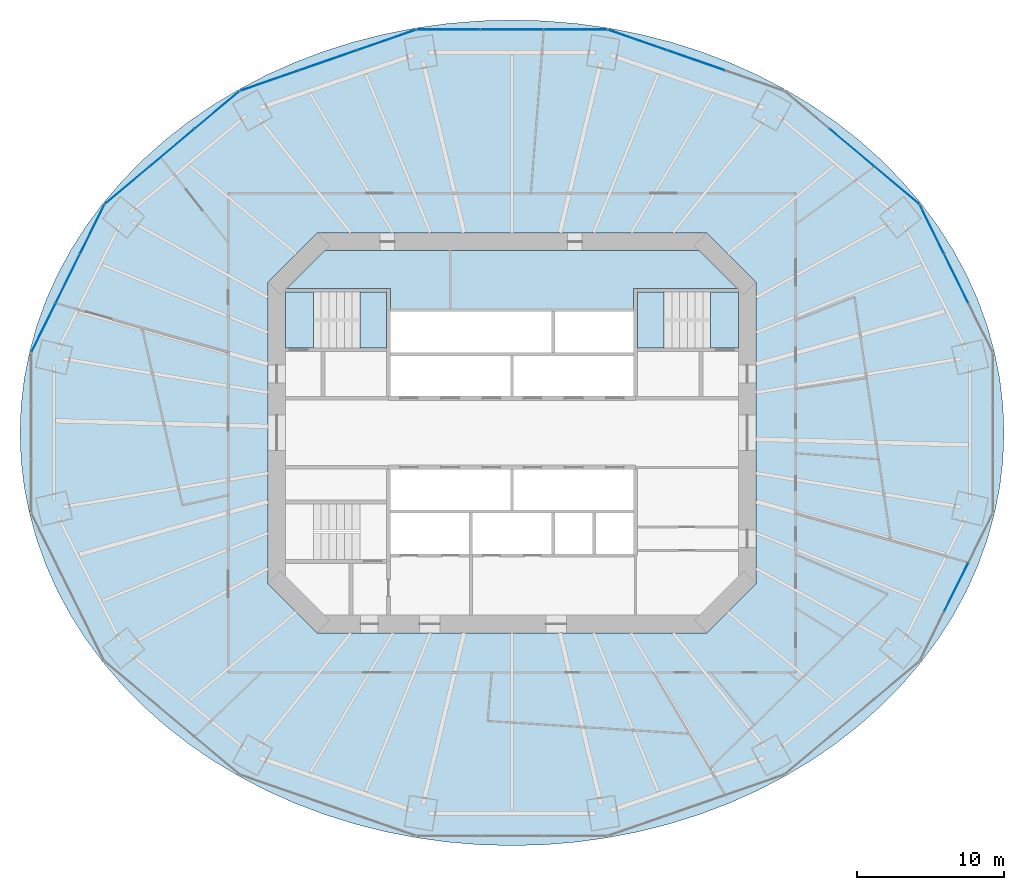
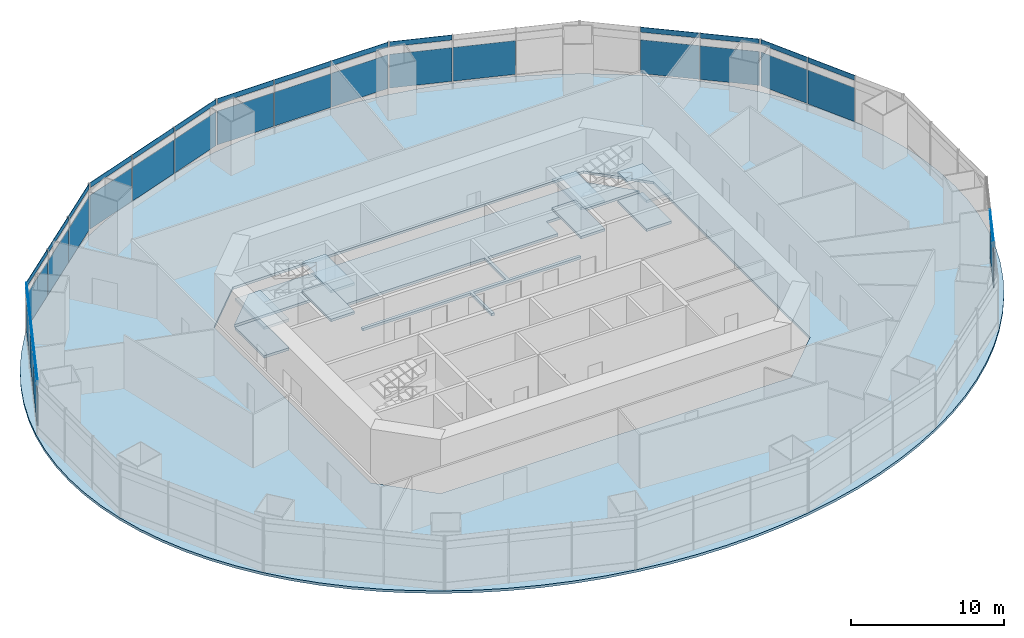
# One storey, part 12 of 17: 37 plates, 10 slabs, 18 elements without a shape of their own.
"""IFC4 building model written with IfcOpenShell, lengths in metres."""

import ifcopenshell
import ifcopenshell.guid

model = None  # the IFC model being written
_history = None  # IfcOwnerHistory: only IFC2X3 demands one
_inside = {}  # id of a spatial element -> (the spatial element, [elements in it])
_under = {}  # id of a project, library or spatial element -> (it, [spatial elements below it])
_declared = {}  # id of a project -> (the project, [libraries it declares])
_typed = {}  # id of a type object -> (the type object, [elements of that type])
_made_of = {}  # id of a material, layer set ... -> (it, [elements and type objects made of it])


def new_model(schema):
    """Start an empty IFC model of exactly this schema.

    Asked for "IFC4X3", IfcOpenShell would pick the latest addendum, in which some entities
    have other attributes; the version numbers below select the first issue.
    IFC2X3 requires an IfcOwnerHistory on every rooted entity: one is made here for all.
    """
    global model, _history
    if schema == "IFC4X3":
        model = ifcopenshell.file(schema_version=(4, 3, 0, 0))
    else:
        model = ifcopenshell.file(schema=schema)
    _inside.clear()
    _under.clear()
    _declared.clear()
    _typed.clear()
    _made_of.clear()
    _history = None
    if model.schema == "IFC2X3":
        org = make("IfcOrganization", Name="unknown")
        user = make(
            "IfcPersonAndOrganization",
            ThePerson=make("IfcPerson", FamilyName="unknown"),
            TheOrganization=org,
        )
        app = make(
            "IfcApplication",
            ApplicationDeveloper=org,
            Version="unknown",
            ApplicationFullName="unknown",
            ApplicationIdentifier="unknown",
        )
        _history = make(
            "IfcOwnerHistory",
            OwningUser=user,
            OwningApplication=app,
            ChangeAction="ADDED",
            CreationDate=0,
        )
    return model


def make(cls, **values):
    """One entity of the class cls with the attributes given. An attribute that is None is left unset."""
    return model.create_entity(
        cls, **{name: value for name, value in values.items() if value is not None}
    )


def rooted(cls, **values):
    """An entity with a GlobalId (a new one), such as an element, a storey or a relation."""
    return make(cls, GlobalId=ifcopenshell.guid.new(), OwnerHistory=_history, **values)


def si_unit(unit_type, name, prefix=None):
    """IfcSIUnit, for example si_unit("LENGTHUNIT", "METRE", prefix="MILLI")."""
    return make("IfcSIUnit", UnitType=unit_type, Prefix=prefix, Name=name)


def assignment(units):
    """IfcUnitAssignment: the units of a project."""
    return None if units is None else make("IfcUnitAssignment", Units=units)


def point(xyz):
    """IfcCartesianPoint."""
    return None if xyz is None else make("IfcCartesianPoint", Coordinates=xyz)


def direction(xyz):
    """IfcDirection."""
    return None if xyz is None else make("IfcDirection", DirectionRatios=xyz)


def frame(location, z_axis=None, x_axis=None):
    """IfcAxis2Placement3D, a coordinate frame: its origin and axes. An axis left out is left unset."""
    return make(
        "IfcAxis2Placement3D",
        Location=point(location),
        Axis=direction(z_axis),
        RefDirection=direction(x_axis),
    )


def frame_2d(location, x_axis=None):
    """IfcAxis2Placement2D, a coordinate frame in the plane: its origin and x axis."""
    return make(
        "IfcAxis2Placement2D", Location=point(location), RefDirection=direction(x_axis)
    )


def origin():
    """The frame at (0, 0, 0) with its axes left unset."""
    return frame((0.0, 0.0, 0.0))


def origin_2d():
    """The frame at (0, 0) in the plane with its x axis left unset."""
    return frame_2d((0.0, 0.0))


def place(relative_to, where):
    """IfcLocalPlacement: puts the frame where relative to a parent placement (None: the world)."""
    return make(
        "IfcLocalPlacement", PlacementRelTo=relative_to, RelativePlacement=where
    )


def context(
    kind, dimensions, precision=None, world=None, true_north=None, identifier=None
):
    """IfcGeometricRepresentationContext, for example the 3D "Model" context."""
    return make(
        "IfcGeometricRepresentationContext",
        ContextIdentifier=identifier,
        ContextType=kind,
        CoordinateSpaceDimension=dimensions,
        Precision=precision,
        WorldCoordinateSystem=world,
        TrueNorth=true_north,
    )


def subcontext(parent, identifier, kind, view, scale=None):
    """IfcGeometricRepresentationSubContext, for example "Body" below "Model"."""
    return make(
        "IfcGeometricRepresentationSubContext",
        ContextIdentifier=identifier,
        ContextType=kind,
        ParentContext=parent,
        TargetScale=scale,
        TargetView=view,
    )


def project(units=None, contexts=None):
    """IfcProject with its units and contexts."""
    return rooted(
        "IfcProject",
        Name="project",
        RepresentationContexts=contexts,
        UnitsInContext=assignment(units),
    )


def spatial(cls, under=None, at=None, **own):
    """A site, building, storey or space (cls), placed at a placement, below another one or the project."""
    s = rooted(cls, ObjectPlacement=at, **own)
    if under is not None:
        _under.setdefault(under.id(), (under, []))[1].append(s)
    return s


def polyline(points):
    """IfcPolyline through the points."""
    return make("IfcPolyline", Points=[point(p) for p in points])


def profile(cls, at=None, kind="AREA", **sizes):
    """A parametric profile (cls). Its sizes go by their IFC names, for example OverallWidth=200.0."""
    return make(cls, ProfileType=kind, Position=at, **sizes)


def rectangle(**sizes):
    """IfcRectangleProfileDef."""
    return profile("IfcRectangleProfileDef", **sizes)


def outline(outer, holes=None, kind="AREA"):
    """IfcArbitraryClosedProfileDef: a profile drawn as a closed curve; with holes, ...WithVoids."""
    if holes is None:
        return make("IfcArbitraryClosedProfileDef", ProfileType=kind, OuterCurve=outer)
    return make(
        "IfcArbitraryProfileDefWithVoids",
        ProfileType=kind,
        OuterCurve=outer,
        InnerCurves=holes,
    )


def extrude(swept, where, along, depth):
    """IfcExtrudedAreaSolid: the profile swept, set in the frame where, extruded along a direction by depth."""
    return make(
        "IfcExtrudedAreaSolid",
        SweptArea=swept,
        Position=where,
        ExtrudedDirection=direction(along),
        Depth=depth,
    )


def shape(context_of_items, identifier, shape_type, items):
    """IfcShapeRepresentation: the items that make up one representation, for example the "Body"."""
    return make(
        "IfcShapeRepresentation",
        ContextOfItems=context_of_items,
        RepresentationIdentifier=identifier,
        RepresentationType=shape_type,
        Items=items,
    )


def material(Name=None, Category=None):
    """IfcMaterial."""
    return make("IfcMaterial", Name=Name, Category=Category)


def layer(
    of_material, thickness, ventilated=None, Name=None, Category=None, Priority=None
):
    """IfcMaterialLayer: one layer of a wall or slab, of a material (None: an air gap)."""
    return make(
        "IfcMaterialLayer",
        Material=of_material,
        LayerThickness=thickness,
        IsVentilated=ventilated,
        Name=Name,
        Category=Category,
        Priority=Priority,
    )


def layer_set(layers, Name=None):
    """IfcMaterialLayerSet."""
    return make("IfcMaterialLayerSet", MaterialLayers=layers, LayerSetName=Name)


def made_of(thing, what):
    """Note that an element or type object is made of a material, layer set ...; save() writes the relation."""
    if what is not None:
        _made_of.setdefault(what.id(), (what, []))[1].append(thing)
    return thing


def type_object(cls, material=None, **own):
    """A type object (cls), such as IfcWallType, which elements share."""
    return made_of(rooted(cls, **own), material)


def element(
    cls,
    number,
    at=None,
    inside=None,
    cuts=None,
    type_object=None,
    material=None,
    context=None,
    identifier="Body",
    shape_type=None,
    held_by="IfcProductDefinitionShape",
    body=None,
    shapes=None,
    **own,
):
    """One element of the class cls, such as IfcWall. Its Tag is "e" and its number.

    at: its placement. inside: the storey or other place that contains it. cuts: it is an
    opening in that element (IfcRelVoidsElement). A single representation is given by context,
    identifier, shape_type and body (its items); several are given by shapes. held_by: the class
    of the entity that holds the representations. save() writes the other relations.
    """
    e = rooted(cls, Tag="e%d" % number, ObjectPlacement=at, **own)
    if body is not None:
        shapes = [shape(context, identifier, shape_type, body)]
    if shapes is not None:
        e.Representation = make(held_by, Representations=shapes)
    if inside is not None:
        _inside.setdefault(inside.id(), (inside, []))[1].append(e)
    if cuts is not None:
        rooted(
            "IfcRelVoidsElement", RelatingBuildingElement=cuts, RelatedOpeningElement=e
        )
    if type_object is not None:
        _typed.setdefault(type_object.id(), (type_object, []))[1].append(e)
    return made_of(e, material)


def aggregate(whole, parts):
    """IfcRelAggregates: a whole, such as a stair, and the parts it consists of."""
    return rooted("IfcRelAggregates", RelatingObject=whole, RelatedObjects=parts)


def save(model, path):
    """Write the relations noted so far, then the file.

    IfcRelAggregates (storeys below a building ...), IfcRelContainedInSpatialStructure (elements
    in a storey), IfcRelDefinesByType, IfcRelAssociatesMaterial and IfcRelDeclares: one each for
    every whole, place, type object, material and project.
    """
    for whole, parts in _under.values():
        aggregate(whole, parts)
    for where, things in _inside.values():
        rooted(
            "IfcRelContainedInSpatialStructure",
            RelatedElements=things,
            RelatingStructure=where,
        )
    for kind, things in _typed.values():
        rooted("IfcRelDefinesByType", RelatedObjects=things, RelatingType=kind)
    for what, things in _made_of.values():
        rooted("IfcRelAssociatesMaterial", RelatedObjects=things, RelatingMaterial=what)
    for by, libraries in _declared.values():
        rooted("IfcRelDeclares", RelatingContext=by, RelatedDefinitions=libraries)
    model.write(path)


model = new_model("IFC4")

# Units and contexts
model_context = context("Model", 3, precision=1e-05, world=origin(), true_north=direction((0.0, 1.0)))
body_context = subcontext(model_context, "Body", "Model", "MODEL_VIEW")
ifc_project = project(units=[si_unit("LENGTHUNIT", "METRE"), si_unit("AREAUNIT", "SQUARE_METRE"), si_unit("VOLUMEUNIT", "CUBIC_METRE"), si_unit("PLANEANGLEUNIT", "RADIAN"), si_unit("MASSUNIT", "GRAM", prefix="KILO")], contexts=[model_context])

# Site, building, storey
site_placement = place(None, origin())
site = spatial("IfcSite", under=ifc_project, at=site_placement, CompositionType="ELEMENT")
building_placement = place(site_placement, origin())
building = spatial("IfcBuilding", under=site, at=building_placement, Name="Marenthal Gate Tower", CompositionType="ELEMENT")
storey_placement = place(building_placement, frame((0.0, 0.0, 145.050048828125)))
storey = spatial("IfcBuildingStorey", under=building, at=storey_placement, Name="L31", CompositionType="ELEMENT", Elevation=145.050048828125)

# Slabs
ifc_material_1 = material(Name="Concrete 35 MPa", Category="concrete")
ifc_layer_1 = layer(ifc_material_1, 0.199951171875)
ifc_layer_set_1 = layer_set([ifc_layer_1], Name="Amenity floor slab 200")
slab_type_1 = type_object("IfcSlabType", Name="Amenity floor slab 200", PredefinedType="FLOOR", material=ifc_layer_set_1)
slab_1_placement = place(storey_placement, frame((0.0, 0.0, -0.199951171875)))
element("IfcSlab", 1, at=slab_1_placement, inside=storey, type_object=slab_type_1, Name="SL-L31-01", PredefinedType="FLOOR", context=body_context, shape_type="SweptSolid", body=[
    extrude(outline(polyline([(33.4619140625, 0.0), (33.390380859375, 1.836181640625), (33.17578125, 3.664794921875), (32.819091796875, 5.4775390625), (32.32177734375, 7.266845703125), (31.686279296875, 9.025146484375), (30.914794921875, 10.74462890625), (30.01123046875, 12.418212890625), (28.97900390625, 14.03857421875), (27.822509765625, 15.5986328125), (26.547119140625, 17.09228515625), (25.158203125, 18.512451171875), (23.6611328125, 19.853515625), (22.06298828125, 21.109375), (20.370361328125, 22.27490234375), (18.590576171875, 23.34521484375), (16.73095703125, 24.3154296875), (14.7998046875, 25.181396484375), (12.805419921875, 25.939697265625), (10.756103515625, 26.5869140625), (8.66064453125, 27.120361328125), (6.528076171875, 27.53759765625), (4.36767578125, 27.8369140625), (2.1884765625, 28.016845703125), (0.0, 28.076904296875), (-2.1884765625, 28.016845703125), (-4.36767578125, 27.8369140625), (-6.528076171875, 27.53759765625), (-8.66064453125, 27.120361328125), (-10.756103515625, 26.5869140625), (-12.805419921875, 25.939697265625), (-14.7998046875, 25.181396484375), (-16.73095703125, 24.3154296875), (-18.590576171875, 23.34521484375), (-20.370361328125, 22.27490234375), (-22.06298828125, 21.109375), (-23.6611328125, 19.853515625), (-25.158203125, 18.512451171875), (-26.547119140625, 17.09228515625), (-27.822509765625, 15.5986328125), (-28.97900390625, 14.03857421875), (-30.01123046875, 12.418212890625), (-30.914794921875, 10.74462890625), (-31.686279296875, 9.025146484375), (-32.32177734375, 7.266845703125), (-32.819091796875, 5.4775390625), (-33.17578125, 3.664794921875), (-33.390380859375, 1.836181640625), (-33.4619140625, 0.0), (-33.390380859375, -1.836181640625), (-33.17578125, -3.664794921875), (-32.819091796875, -5.4775390625), (-32.32177734375, -7.266845703125), (-31.686279296875, -9.025146484375), (-30.914794921875, -10.74462890625), (-30.01123046875, -12.418212890625), (-28.97900390625, -14.03857421875), (-27.822509765625, -15.5986328125), (-26.547119140625, -17.09228515625), (-25.158203125, -18.512451171875), (-23.6611328125, -19.853515625), (-22.06298828125, -21.109375), (-20.370361328125, -22.27490234375), (-18.590576171875, -23.34521484375), (-16.73095703125, -24.3154296875), (-14.7998046875, -25.181396484375), (-12.805419921875, -25.939697265625), (-10.756103515625, -26.5869140625), (-8.66064453125, -27.120361328125), (-6.528076171875, -27.53759765625), (-4.36767578125, -27.8369140625), (-2.1884765625, -28.016845703125), (0.0, -28.076904296875), (2.1884765625, -28.016845703125), (4.36767578125, -27.8369140625), (6.528076171875, -27.53759765625), (8.66064453125, -27.120361328125), (10.756103515625, -26.5869140625), (12.805419921875, -25.939697265625), (14.7998046875, -25.181396484375), (16.73095703125, -24.3154296875), (18.590576171875, -23.34521484375), (20.370361328125, -22.27490234375), (22.06298828125, -21.109375), (23.6611328125, -19.853515625), (25.158203125, -18.512451171875), (26.547119140625, -17.09228515625), (27.822509765625, -15.5986328125), (28.97900390625, -14.03857421875), (30.01123046875, -12.418212890625), (30.914794921875, -10.74462890625), (31.686279296875, -9.025146484375), (32.32177734375, -7.266845703125), (32.819091796875, -5.4775390625), (33.17578125, -3.664794921875), (33.390380859375, -1.836181640625), (33.4619140625, 0.0)]), holes=[polyline([(13.24853515625, -13.60009765625), (16.60009765625, -10.24853515625), (16.60009765625, 10.24853515625), (13.24853515625, 13.60009765625), (-13.24853515625, 13.60009765625), (-16.60009765625, 10.24853515625), (-16.60009765625, -10.24853515625), (-13.24853515625, -13.60009765625), (13.24853515625, -13.60009765625)])]), origin(), (0.0, 0.0, 1.0), 0.199951171875),
])
ifc_material_2 = material(Name="Concrete 50 MPa", Category="concrete")
ifc_layer_2 = layer(ifc_material_2, 0.199951171875)
ifc_layer_set_2 = layer_set([ifc_layer_2], Name="Core floor slab 200")
slab_type_2 = type_object("IfcSlabType", Name="Core floor slab 200", PredefinedType="FLOOR", material=ifc_layer_set_2)
slab_2_placement = place(storey_placement, frame((0.0, 0.0, -0.199951171875)))
element("IfcSlab", 2, at=slab_2_placement, inside=storey, type_object=slab_type_2, Name="Core floor L31", PredefinedType="FLOOR", context=body_context, shape_type="SweptSolid", body=[
    extrude(outline(polyline([(15.39990234375, 5.77490234375), (13.5, 5.77490234375), (13.5, 9.574951171875), (15.39990234375, 9.574951171875), (15.39990234375, 5.77490234375)])), origin(), (0.0, 0.0, 1.0), 0.199951171875),
])
slab_3_placement = place(storey_placement, frame((0.0, 0.0, -0.199951171875)))
element("IfcSlab", 3, at=slab_3_placement, inside=storey, type_object=slab_type_2, Name="Core floor L31", PredefinedType="FLOOR", context=body_context, shape_type="SweptSolid", body=[
    extrude(outline(polyline([(12.75146484375, 12.39990234375), (15.326416015625, 9.824951171875), (8.550048828125, 9.824951171875), (8.25, 9.824951171875), (8.25, 8.35009765625), (8.25, 8.239990234375), (5.60009765625, 8.239990234375), (2.909912109375, 8.239990234375), (2.909912109375, 5.4599609375), (5.60009765625, 5.4599609375), (8.25, 5.4599609375), (8.25, 5.239990234375), (5.60009765625, 5.239990234375), (2.800048828125, 5.239990234375), (0.110107421875, 5.239990234375), (0.110107421875, 2.5), (-0.110107421875, 2.5), (-0.110107421875, 5.239990234375), (-2.800048828125, 5.239990234375), (-5.60009765625, 5.239990234375), (-8.25, 5.239990234375), (-8.25, 5.4599609375), (-5.60009765625, 5.4599609375), (-2.800048828125, 5.4599609375), (0.0, 5.4599609375), (2.68994140625, 5.4599609375), (2.68994140625, 8.239990234375), (0.0, 8.239990234375), (-2.800048828125, 8.239990234375), (-5.60009765625, 8.239990234375), (-8.25, 8.239990234375), (-8.25, 8.35009765625), (-8.25, 9.824951171875), (-8.550048828125, 9.824951171875), (-15.326416015625, 9.824951171875), (-12.75146484375, 12.39990234375), (12.75146484375, 12.39990234375)])), origin(), (0.0, 0.0, 1.0), 0.199951171875),
])
slab_4_placement = place(storey_placement, frame((0.0, 0.0, -0.199951171875)))
element("IfcSlab", 4, at=slab_4_placement, inside=storey, type_object=slab_type_2, Name="Core floor L31", PredefinedType="FLOOR", context=body_context, shape_type="SweptSolid", body=[
    extrude(outline(polyline([(-15.39990234375, 9.574951171875), (-13.5, 9.574951171875), (-13.5, 5.77490234375), (-15.39990234375, 5.77490234375), (-15.39990234375, 9.574951171875)])), origin(), (0.0, 0.0, 1.0), 0.199951171875),
])

# Curtain wall, plates
ifc_material_3 = material(Name="Aluminium and glass", Category="aluminium")
curtain_wall_type_1 = type_object("IfcCurtainWallType", Name="Curtain wall amenity", PredefinedType="NOTDEFINED", material=ifc_material_3)
curtain_wall_1_placement = place(storey_placement, origin())
curtain_wall_1 = element("IfcCurtainWall", 5, at=curtain_wall_1_placement, inside=storey, type_object=curtain_wall_type_1, Name="Curtain wall L31 bay 1", PredefinedType="NOTDEFINED")
ifc_material_4 = material(Name="Glass, laminated insulating unit", Category="glass")
ifc_layer_3 = layer(ifc_material_4, 0.031982421875)
ifc_layer_set_3 = layer_set([ifc_layer_3], Name="Glass panel 32 amenity")
plate_type_1 = type_object("IfcPlateType", Name="Glass panel 32 amenity", PredefinedType="CURTAIN_PANEL", material=ifc_layer_set_3)
plate_1_placement = place(storey_placement, frame((30.212158203125, 10.4931640625, 0.60009765625), z_axis=(0.0, 0.0, 1.0), x_axis=(-0.442895449987, 0.896573265484, 0.0)))
plate_1 = element("IfcPlate", 6, at=plate_1_placement, type_object=plate_type_1, Name="Glass panel L31 bay 1.2", PredefinedType="CURTAIN_PANEL", context=body_context, shape_type="SweptSolid", body=[
    extrude(rectangle(XDim=3.666748046875, YDim=0.031982421875, at=origin_2d()), origin(), (0.0, 0.0, 1.0), 2.699951171875),
])
plate_2_placement = place(storey_placement, frame((28.5615234375, 13.83447265625, 0.60009765625), z_axis=(0.0, 0.0, 1.0), x_axis=(-0.442895449987, 0.896573265484, 0.0)))
plate_2 = element("IfcPlate", 7, at=plate_2_placement, type_object=plate_type_1, Name="Glass panel L31 bay 1.3", PredefinedType="CURTAIN_PANEL", context=body_context, shape_type="SweptSolid", body=[
    extrude(rectangle(XDim=3.6669921875, YDim=0.031982421875, at=origin_2d()), origin(), (0.0, 0.0, 1.0), 2.699951171875),
])
aggregate(curtain_wall_1, [plate_1, plate_2])

curtain_wall_2_placement = place(storey_placement, origin())
curtain_wall_2 = element("IfcCurtainWall", 8, at=curtain_wall_2_placement, inside=storey, type_object=curtain_wall_type_1, Name="Curtain wall L31 bay 2", PredefinedType="NOTDEFINED")
plate_3_placement = place(storey_placement, frame((26.17431640625, 16.83056640625, 0.60009765625), z_axis=(0.0, 0.0, 1.0), x_axis=(-0.766276606305, 0.642510826857, 0.0)))
plate_3 = element("IfcPlate", 9, at=plate_3_placement, type_object=plate_type_1, Name="Glass panel L31 bay 2.1", PredefinedType="CURTAIN_PANEL", context=body_context, shape_type="SweptSolid", body=[
    extrude(rectangle(XDim=3.921630859375, YDim=0.031982421875, at=origin_2d()), origin(), (0.0, 0.0, 1.0), 2.699951171875),
])
plate_4_placement = place(storey_placement, frame((23.123291015625, 19.388671875, 0.60009765625), z_axis=(0.0, 0.0, 1.0), x_axis=(-0.766276606305, 0.642510826857, 0.0)))
plate_4 = element("IfcPlate", 10, at=plate_4_placement, type_object=plate_type_1, Name="Glass panel L31 bay 2.2", PredefinedType="CURTAIN_PANEL", context=body_context, shape_type="SweptSolid", body=[
    extrude(rectangle(XDim=3.921630859375, YDim=0.031982421875, at=origin_2d()), origin(), (0.0, 0.0, 1.0), 2.699951171875),
])
aggregate(curtain_wall_2, [plate_3, plate_4])

curtain_wall_3_placement = place(storey_placement, origin())
curtain_wall_3 = element("IfcCurtainWall", 11, at=curtain_wall_3_placement, inside=storey, type_object=curtain_wall_type_1, Name="Curtain wall L31 bay 3", PredefinedType="NOTDEFINED")
plate_5_placement = place(storey_placement, frame((12.51416015625, 25.33251953125, 0.60009765625), z_axis=(0.0, 0.0, 1.0), x_axis=(-0.944646837951, 0.328088938475, 0.0)))
plate_5 = element("IfcPlate", 12, at=plate_5_placement, type_object=plate_type_1, Name="Glass panel L31 bay 3.2", PredefinedType="CURTAIN_PANEL", context=body_context, shape_type="SweptSolid", body=[
    extrude(rectangle(XDim=4.1611328125, YDim=0.031982421875, at=origin_2d()), origin(), (0.0, 0.0, 1.0), 2.699951171875),
])
plate_6_placement = place(storey_placement, frame((8.52685546875, 26.717529296875, 0.60009765625), z_axis=(0.0, 0.0, 1.0), x_axis=(-0.944646837951, 0.328088938475, 0.0)))
plate_6 = element("IfcPlate", 13, at=plate_6_placement, type_object=plate_type_1, Name="Glass panel L31 bay 3.3", PredefinedType="CURTAIN_PANEL", context=body_context, shape_type="SweptSolid", body=[
    extrude(rectangle(XDim=4.1611328125, YDim=0.031982421875, at=origin_2d()), origin(), (0.0, 0.0, 1.0), 2.699951171875),
])
aggregate(curtain_wall_3, [plate_5, plate_6])

curtain_wall_4_placement = place(storey_placement, origin())
curtain_wall_4 = element("IfcCurtainWall", 14, at=curtain_wall_4_placement, inside=storey, type_object=curtain_wall_type_1, Name="Curtain wall L31 bay 4", PredefinedType="NOTDEFINED")
plate_7_placement = place(storey_placement, frame((4.31640625, 27.419921875, 0.60009765625), z_axis=(0.0, 0.0, 1.0), x_axis=(-1.0, 0.0, 0.0)))
plate_7 = element("IfcPlate", 15, at=plate_7_placement, type_object=plate_type_1, Name="Glass panel L31 bay 4.1", PredefinedType="CURTAIN_PANEL", context=body_context, shape_type="SweptSolid", body=[
    extrude(rectangle(XDim=4.256591796875, YDim=0.031982421875, at=origin_2d()), origin(), (0.0, 0.0, 1.0), 2.699951171875),
])
plate_8_placement = place(storey_placement, frame((0.0, 27.419921875, 0.60009765625), z_axis=(0.0, 0.0, 1.0), x_axis=(-1.0, 0.0, 0.0)))
plate_8 = element("IfcPlate", 16, at=plate_8_placement, type_object=plate_type_1, Name="Glass panel L31 bay 4.2", PredefinedType="CURTAIN_PANEL", context=body_context, shape_type="SweptSolid", body=[
    extrude(rectangle(XDim=4.25634765625, YDim=0.031982421875, at=origin_2d()), origin(), (0.0, 0.0, 1.0), 2.699951171875),
])
plate_9_placement = place(storey_placement, frame((-4.31640625, 27.419921875, 0.60009765625), z_axis=(0.0, 0.0, 1.0), x_axis=(-1.0, 0.0, 0.0)))
plate_9 = element("IfcPlate", 17, at=plate_9_placement, type_object=plate_type_1, Name="Glass panel L31 bay 4.3", PredefinedType="CURTAIN_PANEL", context=body_context, shape_type="SweptSolid", body=[
    extrude(rectangle(XDim=4.256591796875, YDim=0.031982421875, at=origin_2d()), origin(), (0.0, 0.0, 1.0), 2.699951171875),
])
aggregate(curtain_wall_4, [plate_7, plate_8, plate_9])

curtain_wall_5_placement = place(storey_placement, origin())
curtain_wall_5 = element("IfcCurtainWall", 18, at=curtain_wall_5_placement, inside=storey, type_object=curtain_wall_type_1, Name="Curtain wall L31 bay 5", PredefinedType="NOTDEFINED")
plate_10_placement = place(storey_placement, frame((-8.52685546875, 26.717529296875, 0.60009765625), z_axis=(0.0, 0.0, 1.0), x_axis=(-0.944646837951, -0.328088938475, 0.0)))
plate_10 = element("IfcPlate", 19, at=plate_10_placement, type_object=plate_type_1, Name="Glass panel L31 bay 5.1", PredefinedType="CURTAIN_PANEL", context=body_context, shape_type="SweptSolid", body=[
    extrude(rectangle(XDim=4.1611328125, YDim=0.031982421875, at=origin_2d()), origin(), (0.0, 0.0, 1.0), 2.699951171875),
])
plate_11_placement = place(storey_placement, frame((-12.51416015625, 25.33251953125, 0.60009765625), z_axis=(0.0, 0.0, 1.0), x_axis=(-0.944646837951, -0.328088938475, 0.0)))
plate_11 = element("IfcPlate", 20, at=plate_11_placement, type_object=plate_type_1, Name="Glass panel L31 bay 5.2", PredefinedType="CURTAIN_PANEL", context=body_context, shape_type="SweptSolid", body=[
    extrude(rectangle(XDim=4.1611328125, YDim=0.031982421875, at=origin_2d()), origin(), (0.0, 0.0, 1.0), 2.699951171875),
])
plate_12_placement = place(storey_placement, frame((-16.501708984375, 23.94775390625, 0.60009765625), z_axis=(0.0, 0.0, 1.0), x_axis=(-0.944646837951, -0.328088938475, 0.0)))
plate_12 = element("IfcPlate", 21, at=plate_12_placement, type_object=plate_type_1, Name="Glass panel L31 bay 5.3", PredefinedType="CURTAIN_PANEL", context=body_context, shape_type="SweptSolid", body=[
    extrude(rectangle(XDim=4.1611328125, YDim=0.031982421875, at=origin_2d()), origin(), (0.0, 0.0, 1.0), 2.699951171875),
])
aggregate(curtain_wall_5, [plate_10, plate_11, plate_12])

curtain_wall_6_placement = place(storey_placement, origin())
curtain_wall_6 = element("IfcCurtainWall", 22, at=curtain_wall_6_placement, inside=storey, type_object=curtain_wall_type_1, Name="Curtain wall L31 bay 6", PredefinedType="NOTDEFINED")
plate_13_placement = place(storey_placement, frame((-20.072265625, 21.947021484375, 0.60009765625), z_axis=(0.0, 0.0, 1.0), x_axis=(-0.766276606305, -0.642510826857, 0.0)))
plate_13 = element("IfcPlate", 23, at=plate_13_placement, type_object=plate_type_1, Name="Glass panel L31 bay 6.1", PredefinedType="CURTAIN_PANEL", context=body_context, shape_type="SweptSolid", body=[
    extrude(rectangle(XDim=3.921630859375, YDim=0.031982421875, at=origin_2d()), origin(), (0.0, 0.0, 1.0), 2.699951171875),
])
plate_14_placement = place(storey_placement, frame((-23.123291015625, 19.388671875, 0.60009765625), z_axis=(0.0, 0.0, 1.0), x_axis=(-0.766276606305, -0.642510826857, 0.0)))
plate_14 = element("IfcPlate", 24, at=plate_14_placement, type_object=plate_type_1, Name="Glass panel L31 bay 6.2", PredefinedType="CURTAIN_PANEL", context=body_context, shape_type="SweptSolid", body=[
    extrude(rectangle(XDim=3.921630859375, YDim=0.031982421875, at=origin_2d()), origin(), (0.0, 0.0, 1.0), 2.699951171875),
])
plate_15_placement = place(storey_placement, frame((-26.17431640625, 16.83056640625, 0.60009765625), z_axis=(0.0, 0.0, 1.0), x_axis=(-0.766276606305, -0.642510826857, 0.0)))
plate_15 = element("IfcPlate", 25, at=plate_15_placement, type_object=plate_type_1, Name="Glass panel L31 bay 6.3", PredefinedType="CURTAIN_PANEL", context=body_context, shape_type="SweptSolid", body=[
    extrude(rectangle(XDim=3.921630859375, YDim=0.031982421875, at=origin_2d()), origin(), (0.0, 0.0, 1.0), 2.699951171875),
])
aggregate(curtain_wall_6, [plate_13, plate_14, plate_15])

curtain_wall_7_placement = place(storey_placement, origin())
curtain_wall_7 = element("IfcCurtainWall", 26, at=curtain_wall_7_placement, inside=storey, type_object=curtain_wall_type_1, Name="Curtain wall L31 bay 7", PredefinedType="NOTDEFINED")
plate_16_placement = place(storey_placement, frame((-28.5615234375, 13.83447265625, 0.60009765625), z_axis=(0.0, 0.0, 1.0), x_axis=(-0.442895449987, -0.896573265484, 0.0)))
plate_16 = element("IfcPlate", 27, at=plate_16_placement, type_object=plate_type_1, Name="Glass panel L31 bay 7.1", PredefinedType="CURTAIN_PANEL", context=body_context, shape_type="SweptSolid", body=[
    extrude(rectangle(XDim=3.6669921875, YDim=0.031982421875, at=origin_2d()), origin(), (0.0, 0.0, 1.0), 2.699951171875),
])
plate_17_placement = place(storey_placement, frame((-30.212158203125, 10.4931640625, 0.60009765625), z_axis=(0.0, 0.0, 1.0), x_axis=(-0.442895449987, -0.896573265484, 0.0)))
plate_17 = element("IfcPlate", 28, at=plate_17_placement, type_object=plate_type_1, Name="Glass panel L31 bay 7.2", PredefinedType="CURTAIN_PANEL", context=body_context, shape_type="SweptSolid", body=[
    extrude(rectangle(XDim=3.666748046875, YDim=0.031982421875, at=origin_2d()), origin(), (0.0, 0.0, 1.0), 2.699951171875),
])
plate_18_placement = place(storey_placement, frame((-31.86279296875, 7.151611328125, 0.60009765625), z_axis=(0.0, 0.0, 1.0), x_axis=(-0.442895449987, -0.896573265484, 0.0)))
plate_18 = element("IfcPlate", 29, at=plate_18_placement, type_object=plate_type_1, Name="Glass panel L31 bay 7.3", PredefinedType="CURTAIN_PANEL", context=body_context, shape_type="SweptSolid", body=[
    extrude(rectangle(XDim=3.6669921875, YDim=0.031982421875, at=origin_2d()), origin(), (0.0, 0.0, 1.0), 2.699951171875),
])
aggregate(curtain_wall_7, [plate_16, plate_17, plate_18])

# Curtain wall, plate
curtain_wall_8_placement = place(storey_placement, origin())
curtain_wall_8 = element("IfcCurtainWall", 30, at=curtain_wall_8_placement, inside=storey, type_object=curtain_wall_type_1, Name="Curtain wall L31 bay 15", PredefinedType="NOTDEFINED")
plate_19_placement = place(storey_placement, frame((30.212158203125, -10.4931640625, 0.60009765625), z_axis=(0.0, 0.0, 1.0), x_axis=(0.442895449987, 0.896573265484, 0.0)))
plate_19 = element("IfcPlate", 31, at=plate_19_placement, type_object=plate_type_1, Name="Glass panel L31 bay 15.2", PredefinedType="CURTAIN_PANEL", context=body_context, shape_type="SweptSolid", body=[
    extrude(rectangle(XDim=3.666748046875, YDim=0.031982421875, at=origin_2d()), origin(), (0.0, 0.0, 1.0), 2.699951171875),
])
aggregate(curtain_wall_8, [plate_19])

# Stair, slabs
ifc_material_5 = material(Name="Concrete 40 MPa", Category="concrete")
stair_type = type_object("IfcStairType", Name="Exit stair 1800", PredefinedType="HALF_TURN_STAIR", material=ifc_material_5)
stair_1_placement = place(storey_placement, origin())
stair_1 = element("IfcStair", 32, at=stair_1_placement, inside=storey, type_object=stair_type, Name="Stair ST1", PredefinedType="HALF_TURN_STAIR")
ifc_material_6 = material(Name="Concrete 40 MPa", Category="concrete")
ifc_layer_4 = layer(ifc_material_6, 0.199951171875)
ifc_layer_set_4 = layer_set([ifc_layer_4], Name="Stair landing 200")
slab_type_3 = type_object("IfcSlabType", Name="Stair landing 200", PredefinedType="LANDING", material=ifc_layer_set_4)
slab_5_placement = place(storey_placement, frame((0.0, 0.0, 0.949951171875)))
slab_5 = element("IfcSlab", 33, at=slab_5_placement, type_object=slab_type_3, Name="ST1 landing 1", PredefinedType="LANDING", context=body_context, shape_type="SweptSolid", body=[
    extrude(outline(polyline([(-10.35009765625, 5.77490234375), (-8.550048828125, 5.77490234375), (-8.550048828125, 9.574951171875), (-10.35009765625, 9.574951171875), (-10.35009765625, 5.77490234375)])), origin(), (0.0, 0.0, 1.0), 0.199951171875),
])
slab_6_placement = place(storey_placement, frame((0.0, 0.0, 2.099853515625)))
slab_6 = element("IfcSlab", 34, at=slab_6_placement, type_object=slab_type_3, Name="ST1 landing 2", PredefinedType="LANDING", context=body_context, shape_type="SweptSolid", body=[
    extrude(outline(polyline([(-15.39990234375, 5.77490234375), (-13.5, 5.77490234375), (-13.5, 9.574951171875), (-15.39990234375, 9.574951171875), (-15.39990234375, 5.77490234375)])), origin(), (0.0, 0.0, 1.0), 0.2001953125),
])
slab_7_placement = place(storey_placement, frame((0.0, 0.0, 3.25)))
slab_7 = element("IfcSlab", 35, at=slab_7_placement, type_object=slab_type_3, Name="ST1 landing 3", PredefinedType="LANDING", context=body_context, shape_type="SweptSolid", body=[
    extrude(outline(polyline([(-10.35009765625, 5.77490234375), (-8.550048828125, 5.77490234375), (-8.550048828125, 9.574951171875), (-10.35009765625, 9.574951171875), (-10.35009765625, 5.77490234375)])), origin(), (0.0, 0.0, 1.0), 0.199951171875),
])
aggregate(stair_1, [slab_5, slab_6, slab_7])

stair_2_placement = place(storey_placement, origin())
stair_2 = element("IfcStair", 36, at=stair_2_placement, inside=storey, type_object=stair_type, Name="Stair ST3", PredefinedType="HALF_TURN_STAIR")
slab_8_placement = place(storey_placement, frame((0.0, 0.0, 0.949951171875)))
slab_8 = element("IfcSlab", 37, at=slab_8_placement, type_object=slab_type_3, Name="ST3 landing 1", PredefinedType="LANDING", context=body_context, shape_type="SweptSolid", body=[
    extrude(outline(polyline([(8.550048828125, 5.77490234375), (10.35009765625, 5.77490234375), (10.35009765625, 9.574951171875), (8.550048828125, 9.574951171875), (8.550048828125, 5.77490234375)])), origin(), (0.0, 0.0, 1.0), 0.199951171875),
])
slab_9_placement = place(storey_placement, frame((0.0, 0.0, 2.099853515625)))
slab_9 = element("IfcSlab", 38, at=slab_9_placement, type_object=slab_type_3, Name="ST3 landing 2", PredefinedType="LANDING", context=body_context, shape_type="SweptSolid", body=[
    extrude(outline(polyline([(13.5, 5.77490234375), (15.39990234375, 5.77490234375), (15.39990234375, 9.574951171875), (13.5, 9.574951171875), (13.5, 5.77490234375)])), origin(), (0.0, 0.0, 1.0), 0.2001953125),
])
slab_10_placement = place(storey_placement, frame((0.0, 0.0, 3.25)))
slab_10 = element("IfcSlab", 39, at=slab_10_placement, type_object=slab_type_3, Name="ST3 landing 3", PredefinedType="LANDING", context=body_context, shape_type="SweptSolid", body=[
    extrude(outline(polyline([(8.550048828125, 5.77490234375), (10.35009765625, 5.77490234375), (10.35009765625, 9.574951171875), (8.550048828125, 9.574951171875), (8.550048828125, 5.77490234375)])), origin(), (0.0, 0.0, 1.0), 0.199951171875),
])
aggregate(stair_2, [slab_8, slab_9, slab_10])

# Curtain wall, plates
ifc_material_7 = material(Name="Aluminium and glass", Category="aluminium")
curtain_wall_type_2 = type_object("IfcCurtainWallType", Name="Curtain wall crown clad", PredefinedType="NOTDEFINED", material=ifc_material_7)
curtain_wall_9_placement = place(storey_placement, origin())
curtain_wall_9 = element("IfcCurtainWall", 40, at=curtain_wall_9_placement, inside=storey, type_object=curtain_wall_type_2, Name="Curtain wall L31 bay 1 head band", PredefinedType="NOTDEFINED")
ifc_material_8 = material(Name="Terracotta cladding panel", Category="masonry")
ifc_layer_5 = layer(ifc_material_8, 0.031982421875)
ifc_layer_set_5 = layer_set([ifc_layer_5], Name="Terracotta panel 32 crown clad")
plate_type_2 = type_object("IfcPlateType", Name="Terracotta panel 32 crown clad", PredefinedType="CURTAIN_PANEL", material=ifc_layer_set_5)
plate_20_placement = place(storey_placement, frame((30.212158203125, 10.4931640625, 3.89990234375), z_axis=(0.0, 0.0, 1.0), x_axis=(-0.442895449987, 0.896573265484, 0.0)))
plate_20 = element("IfcPlate", 41, at=plate_20_placement, type_object=plate_type_2, Name="Terracotta panel L31 bay 1.2 head band", PredefinedType="CURTAIN_PANEL", context=body_context, shape_type="SweptSolid", body=[
    extrude(rectangle(XDim=3.666748046875, YDim=0.031982421875, at=origin_2d()), origin(), (0.0, 0.0, 1.0), 0.39990234375),
])
plate_21_placement = place(storey_placement, frame((28.5615234375, 13.83447265625, 3.89990234375), z_axis=(0.0, 0.0, 1.0), x_axis=(-0.442895449987, 0.896573265484, 0.0)))
plate_21 = element("IfcPlate", 42, at=plate_21_placement, type_object=plate_type_2, Name="Terracotta panel L31 bay 1.3 head band", PredefinedType="CURTAIN_PANEL", context=body_context, shape_type="SweptSolid", body=[
    extrude(rectangle(XDim=3.6669921875, YDim=0.031982421875, at=origin_2d()), origin(), (0.0, 0.0, 1.0), 0.39990234375),
])
aggregate(curtain_wall_9, [plate_20, plate_21])

curtain_wall_10_placement = place(storey_placement, origin())
curtain_wall_10 = element("IfcCurtainWall", 43, at=curtain_wall_10_placement, inside=storey, type_object=curtain_wall_type_2, Name="Curtain wall L31 bay 2 head band", PredefinedType="NOTDEFINED")
plate_22_placement = place(storey_placement, frame((26.17431640625, 16.83056640625, 3.89990234375), z_axis=(0.0, 0.0, 1.0), x_axis=(-0.766276606305, 0.642510826857, 0.0)))
plate_22 = element("IfcPlate", 44, at=plate_22_placement, type_object=plate_type_2, Name="Terracotta panel L31 bay 2.1 head band", PredefinedType="CURTAIN_PANEL", context=body_context, shape_type="SweptSolid", body=[
    extrude(rectangle(XDim=3.921630859375, YDim=0.031982421875, at=origin_2d()), origin(), (0.0, 0.0, 1.0), 0.39990234375),
])
plate_23_placement = place(storey_placement, frame((23.123291015625, 19.388671875, 3.89990234375), z_axis=(0.0, 0.0, 1.0), x_axis=(-0.766276606305, 0.642510826857, 0.0)))
plate_23 = element("IfcPlate", 45, at=plate_23_placement, type_object=plate_type_2, Name="Terracotta panel L31 bay 2.2 head band", PredefinedType="CURTAIN_PANEL", context=body_context, shape_type="SweptSolid", body=[
    extrude(rectangle(XDim=3.921630859375, YDim=0.031982421875, at=origin_2d()), origin(), (0.0, 0.0, 1.0), 0.39990234375),
])
aggregate(curtain_wall_10, [plate_22, plate_23])

# Curtain wall, plate
curtain_wall_11_placement = place(storey_placement, origin())
curtain_wall_11 = element("IfcCurtainWall", 46, at=curtain_wall_11_placement, inside=storey, type_object=curtain_wall_type_2, Name="Curtain wall L31 bay 3 head band", PredefinedType="NOTDEFINED")
plate_24_placement = place(storey_placement, frame((8.52685546875, 26.717529296875, 3.89990234375), z_axis=(0.0, 0.0, 1.0), x_axis=(-0.944646837951, 0.328088938475, 0.0)))
plate_24 = element("IfcPlate", 47, at=plate_24_placement, type_object=plate_type_2, Name="Terracotta panel L31 bay 3.3 head band", PredefinedType="CURTAIN_PANEL", context=body_context, shape_type="SweptSolid", body=[
    extrude(rectangle(XDim=4.1611328125, YDim=0.031982421875, at=origin_2d()), origin(), (0.0, 0.0, 1.0), 0.39990234375),
])
aggregate(curtain_wall_11, [plate_24])

# Curtain wall, plates
curtain_wall_12_placement = place(storey_placement, origin())
curtain_wall_12 = element("IfcCurtainWall", 48, at=curtain_wall_12_placement, inside=storey, type_object=curtain_wall_type_2, Name="Curtain wall L31 bay 4 head band", PredefinedType="NOTDEFINED")
plate_25_placement = place(storey_placement, frame((4.31640625, 27.419921875, 3.89990234375), z_axis=(0.0, 0.0, 1.0), x_axis=(-1.0, 0.0, 0.0)))
plate_25 = element("IfcPlate", 49, at=plate_25_placement, type_object=plate_type_2, Name="Terracotta panel L31 bay 4.1 head band", PredefinedType="CURTAIN_PANEL", context=body_context, shape_type="SweptSolid", body=[
    extrude(rectangle(XDim=4.256591796875, YDim=0.031982421875, at=origin_2d()), origin(), (0.0, 0.0, 1.0), 0.39990234375),
])
plate_26_placement = place(storey_placement, frame((0.0, 27.419921875, 3.89990234375), z_axis=(0.0, 0.0, 1.0), x_axis=(-1.0, 0.0, 0.0)))
plate_26 = element("IfcPlate", 50, at=plate_26_placement, type_object=plate_type_2, Name="Terracotta panel L31 bay 4.2 head band", PredefinedType="CURTAIN_PANEL", context=body_context, shape_type="SweptSolid", body=[
    extrude(rectangle(XDim=4.25634765625, YDim=0.031982421875, at=origin_2d()), origin(), (0.0, 0.0, 1.0), 0.39990234375),
])
plate_27_placement = place(storey_placement, frame((-4.31640625, 27.419921875, 3.89990234375), z_axis=(0.0, 0.0, 1.0), x_axis=(-1.0, 0.0, 0.0)))
plate_27 = element("IfcPlate", 51, at=plate_27_placement, type_object=plate_type_2, Name="Terracotta panel L31 bay 4.3 head band", PredefinedType="CURTAIN_PANEL", context=body_context, shape_type="SweptSolid", body=[
    extrude(rectangle(XDim=4.256591796875, YDim=0.031982421875, at=origin_2d()), origin(), (0.0, 0.0, 1.0), 0.39990234375),
])
aggregate(curtain_wall_12, [plate_25, plate_26, plate_27])

curtain_wall_13_placement = place(storey_placement, origin())
curtain_wall_13 = element("IfcCurtainWall", 52, at=curtain_wall_13_placement, inside=storey, type_object=curtain_wall_type_2, Name="Curtain wall L31 bay 5 head band", PredefinedType="NOTDEFINED")
plate_28_placement = place(storey_placement, frame((-8.52685546875, 26.717529296875, 3.89990234375), z_axis=(0.0, 0.0, 1.0), x_axis=(-0.944646837951, -0.328088938475, 0.0)))
plate_28 = element("IfcPlate", 53, at=plate_28_placement, type_object=plate_type_2, Name="Terracotta panel L31 bay 5.1 head band", PredefinedType="CURTAIN_PANEL", context=body_context, shape_type="SweptSolid", body=[
    extrude(rectangle(XDim=4.1611328125, YDim=0.031982421875, at=origin_2d()), origin(), (0.0, 0.0, 1.0), 0.39990234375),
])
plate_29_placement = place(storey_placement, frame((-12.51416015625, 25.33251953125, 3.89990234375), z_axis=(0.0, 0.0, 1.0), x_axis=(-0.944646837951, -0.328088938475, 0.0)))
plate_29 = element("IfcPlate", 54, at=plate_29_placement, type_object=plate_type_2, Name="Terracotta panel L31 bay 5.2 head band", PredefinedType="CURTAIN_PANEL", context=body_context, shape_type="SweptSolid", body=[
    extrude(rectangle(XDim=4.1611328125, YDim=0.031982421875, at=origin_2d()), origin(), (0.0, 0.0, 1.0), 0.39990234375),
])
plate_30_placement = place(storey_placement, frame((-16.501708984375, 23.94775390625, 3.89990234375), z_axis=(0.0, 0.0, 1.0), x_axis=(-0.944646837951, -0.328088938475, 0.0)))
plate_30 = element("IfcPlate", 55, at=plate_30_placement, type_object=plate_type_2, Name="Terracotta panel L31 bay 5.3 head band", PredefinedType="CURTAIN_PANEL", context=body_context, shape_type="SweptSolid", body=[
    extrude(rectangle(XDim=4.1611328125, YDim=0.031982421875, at=origin_2d()), origin(), (0.0, 0.0, 1.0), 0.39990234375),
])
aggregate(curtain_wall_13, [plate_28, plate_29, plate_30])

curtain_wall_14_placement = place(storey_placement, origin())
curtain_wall_14 = element("IfcCurtainWall", 56, at=curtain_wall_14_placement, inside=storey, type_object=curtain_wall_type_2, Name="Curtain wall L31 bay 6 head band", PredefinedType="NOTDEFINED")
plate_31_placement = place(storey_placement, frame((-20.072265625, 21.947021484375, 3.89990234375), z_axis=(0.0, 0.0, 1.0), x_axis=(-0.766276606305, -0.642510826857, 0.0)))
plate_31 = element("IfcPlate", 57, at=plate_31_placement, type_object=plate_type_2, Name="Terracotta panel L31 bay 6.1 head band", PredefinedType="CURTAIN_PANEL", context=body_context, shape_type="SweptSolid", body=[
    extrude(rectangle(XDim=3.921630859375, YDim=0.031982421875, at=origin_2d()), origin(), (0.0, 0.0, 1.0), 0.39990234375),
])
plate_32_placement = place(storey_placement, frame((-23.123291015625, 19.388671875, 3.89990234375), z_axis=(0.0, 0.0, 1.0), x_axis=(-0.766276606305, -0.642510826857, 0.0)))
plate_32 = element("IfcPlate", 58, at=plate_32_placement, type_object=plate_type_2, Name="Terracotta panel L31 bay 6.2 head band", PredefinedType="CURTAIN_PANEL", context=body_context, shape_type="SweptSolid", body=[
    extrude(rectangle(XDim=3.921630859375, YDim=0.031982421875, at=origin_2d()), origin(), (0.0, 0.0, 1.0), 0.39990234375),
])
plate_33_placement = place(storey_placement, frame((-26.17431640625, 16.83056640625, 3.89990234375), z_axis=(0.0, 0.0, 1.0), x_axis=(-0.766276606305, -0.642510826857, 0.0)))
plate_33 = element("IfcPlate", 59, at=plate_33_placement, type_object=plate_type_2, Name="Terracotta panel L31 bay 6.3 head band", PredefinedType="CURTAIN_PANEL", context=body_context, shape_type="SweptSolid", body=[
    extrude(rectangle(XDim=3.921630859375, YDim=0.031982421875, at=origin_2d()), origin(), (0.0, 0.0, 1.0), 0.39990234375),
])
aggregate(curtain_wall_14, [plate_31, plate_32, plate_33])

curtain_wall_15_placement = place(storey_placement, origin())
curtain_wall_15 = element("IfcCurtainWall", 60, at=curtain_wall_15_placement, inside=storey, type_object=curtain_wall_type_2, Name="Curtain wall L31 bay 7 head band", PredefinedType="NOTDEFINED")
plate_34_placement = place(storey_placement, frame((-28.5615234375, 13.83447265625, 3.89990234375), z_axis=(0.0, 0.0, 1.0), x_axis=(-0.442895449987, -0.896573265484, 0.0)))
plate_34 = element("IfcPlate", 61, at=plate_34_placement, type_object=plate_type_2, Name="Terracotta panel L31 bay 7.1 head band", PredefinedType="CURTAIN_PANEL", context=body_context, shape_type="SweptSolid", body=[
    extrude(rectangle(XDim=3.6669921875, YDim=0.031982421875, at=origin_2d()), origin(), (0.0, 0.0, 1.0), 0.39990234375),
])
plate_35_placement = place(storey_placement, frame((-30.212158203125, 10.4931640625, 3.89990234375), z_axis=(0.0, 0.0, 1.0), x_axis=(-0.442895449987, -0.896573265484, 0.0)))
plate_35 = element("IfcPlate", 62, at=plate_35_placement, type_object=plate_type_2, Name="Terracotta panel L31 bay 7.2 head band", PredefinedType="CURTAIN_PANEL", context=body_context, shape_type="SweptSolid", body=[
    extrude(rectangle(XDim=3.666748046875, YDim=0.031982421875, at=origin_2d()), origin(), (0.0, 0.0, 1.0), 0.39990234375),
])
plate_36_placement = place(storey_placement, frame((-31.86279296875, 7.151611328125, 3.89990234375), z_axis=(0.0, 0.0, 1.0), x_axis=(-0.442895449987, -0.896573265484, 0.0)))
plate_36 = element("IfcPlate", 63, at=plate_36_placement, type_object=plate_type_2, Name="Terracotta panel L31 bay 7.3 head band", PredefinedType="CURTAIN_PANEL", context=body_context, shape_type="SweptSolid", body=[
    extrude(rectangle(XDim=3.6669921875, YDim=0.031982421875, at=origin_2d()), origin(), (0.0, 0.0, 1.0), 0.39990234375),
])
aggregate(curtain_wall_15, [plate_34, plate_35, plate_36])

# Curtain wall, plate
curtain_wall_16_placement = place(storey_placement, origin())
curtain_wall_16 = element("IfcCurtainWall", 64, at=curtain_wall_16_placement, inside=storey, type_object=curtain_wall_type_2, Name="Curtain wall L31 bay 15 head band", PredefinedType="NOTDEFINED")
plate_37_placement = place(storey_placement, frame((30.212158203125, -10.4931640625, 3.89990234375), z_axis=(0.0, 0.0, 1.0), x_axis=(0.442895449987, 0.896573265484, 0.0)))
plate_37 = element("IfcPlate", 65, at=plate_37_placement, type_object=plate_type_2, Name="Terracotta panel L31 bay 15.2 head band", PredefinedType="CURTAIN_PANEL", context=body_context, shape_type="SweptSolid", body=[
    extrude(rectangle(XDim=3.666748046875, YDim=0.031982421875, at=origin_2d()), origin(), (0.0, 0.0, 1.0), 0.39990234375),
])
aggregate(curtain_wall_16, [plate_37])

save(model, "model.ifc")
